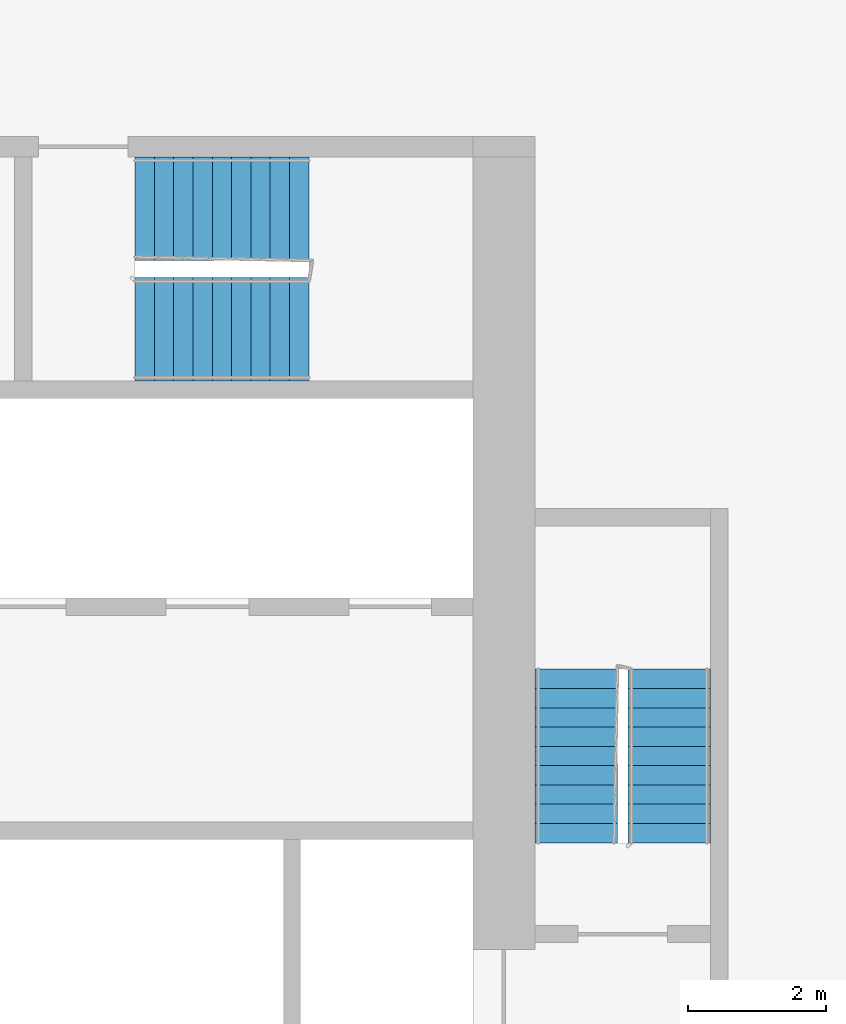
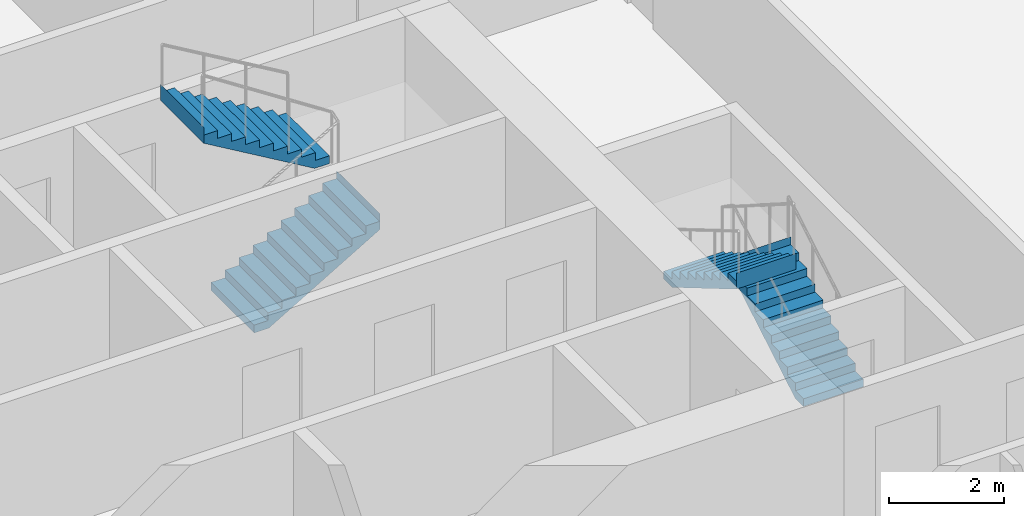
# One storey, part 11 of 12: 4 stair flights, 2 elements without a shape of their own.
"""IFC4 building model written with IfcOpenShell, lengths in metres."""

from ifc_helpers import new_model, si_unit, direction, frame, origin, place, context, subcontext, project, spatial, faceted_brep, material, type_object, element, aggregate, save


model = new_model("IFC4")

# Units and contexts
model_context = context("Model", 3, precision=1e-05, world=origin(), true_north=direction((0.0, 1.0)))
body_context = subcontext(model_context, "Body", "Model", "MODEL_VIEW")
ifc_project = project(units=[si_unit("LENGTHUNIT", "METRE"), si_unit("AREAUNIT", "SQUARE_METRE"), si_unit("VOLUMEUNIT", "CUBIC_METRE"), si_unit("PLANEANGLEUNIT", "RADIAN"), si_unit("MASSUNIT", "GRAM", prefix="KILO")], contexts=[model_context])

# Site, building, storey
site_placement = place(None, origin())
site = spatial("IfcSite", under=ifc_project, at=site_placement, CompositionType="ELEMENT")
building_placement = place(site_placement, origin())
building = spatial("IfcBuilding", under=site, at=building_placement, Name="Kajstack Hotel Tower", CompositionType="ELEMENT")
storey_placement = place(building_placement, frame((0.0, 0.0, 143.800048828125)))
storey = spatial("IfcBuildingStorey", under=building, at=storey_placement, Name="L33", CompositionType="ELEMENT", Elevation=143.800048828125)

# Stair, stair flights
ifc_material = material(Name="Concrete C40/50", Category="concrete")
stair_type_1 = type_object("IfcStairType", Name="Exit stair 1200", PredefinedType="HALF_TURN_STAIR", material=ifc_material)
stair_1_placement = place(storey_placement, origin())
stair_1 = element("IfcStair", 1, at=stair_1_placement, inside=storey, type_object=stair_type_1, Name="L33 stair E1", PredefinedType="HALF_TURN_STAIR")
stair_flight_type_1 = type_object("IfcStairFlightType", Name="Exit stair flight 1200", PredefinedType="STRAIGHT", material=ifc_material)
stair_flight_1_placement = place(storey_placement, frame((33.449951171875, 5.25, 0.0), z_axis=(0.0, 0.0, 1.0), x_axis=(0.0, 1.0, 0.0)))
stair_flight_1 = element("IfcStairFlight", 2, at=stair_flight_1_placement, type_object=stair_flight_type_1, Name="E1 flight 1", NumberOfRisers=10, NumberOfTreads=9, PredefinedType="STRAIGHT", RiserHeight=0.165, TreadLength=0.28, context=body_context, shape_type="Brep", body=[
    faceted_brep([(0.295654296875, -0.60009765625, 0.0), (2.5205078125, -0.60009765625, 1.31103515625), (2.5205078125, -0.60009765625, 1.64990234375), (2.52001953125, -0.60009765625, 1.64990234375), (2.52001953125, -0.60009765625, 1.485107421875), (2.239990234375, -0.60009765625, 1.485107421875), (2.239990234375, -0.60009765625, 1.320068359375), (1.9599609375, -0.60009765625, 1.320068359375), (1.9599609375, -0.60009765625, 1.155029296875), (1.679931640625, -0.60009765625, 1.155029296875), (1.679931640625, -0.60009765625, 0.989990234375), (1.39990234375, -0.60009765625, 0.989990234375), (1.39990234375, -0.60009765625, 0.824951171875), (1.1201171875, -0.60009765625, 0.824951171875), (1.1201171875, -0.60009765625, 0.659912109375), (0.840087890625, -0.60009765625, 0.659912109375), (0.840087890625, -0.60009765625, 0.4951171875), (0.56005859375, -0.60009765625, 0.4951171875), (0.56005859375, -0.60009765625, 0.330078125), (0.280029296875, -0.60009765625, 0.330078125), (0.280029296875, -0.60009765625, 0.1650390625), (-0.00048828125, -0.60009765625, 0.1650390625), (-0.00048828125, -0.60009765625, 0.0), (-0.00048828125, 0.60009765625, 0.0), (-0.00048828125, 0.60009765625, 0.1650390625), (0.280029296875, 0.60009765625, 0.1650390625), (0.280029296875, 0.60009765625, 0.330078125), (0.56005859375, 0.60009765625, 0.330078125), (0.56005859375, 0.60009765625, 0.4951171875), (0.840087890625, 0.60009765625, 0.4951171875), (0.840087890625, 0.60009765625, 0.659912109375), (1.1201171875, 0.60009765625, 0.659912109375), (1.1201171875, 0.60009765625, 0.824951171875), (1.39990234375, 0.60009765625, 0.824951171875), (1.39990234375, 0.60009765625, 0.989990234375), (1.679931640625, 0.60009765625, 0.989990234375), (1.679931640625, 0.60009765625, 1.155029296875), (1.9599609375, 0.60009765625, 1.155029296875), (1.9599609375, 0.60009765625, 1.320068359375), (2.239990234375, 0.60009765625, 1.320068359375), (2.239990234375, 0.60009765625, 1.485107421875), (2.52001953125, 0.60009765625, 1.485107421875), (2.52001953125, 0.60009765625, 1.64990234375), (2.5205078125, 0.60009765625, 1.64990234375), (2.5205078125, 0.60009765625, 1.31103515625), (0.295654296875, 0.60009765625, 0.0), (-0.00048828125, -0.300048828125, 0.1650390625), (-0.00048828125, 0.0, 0.1650390625), (-0.00048828125, 0.300048828125, 0.1650390625), (-0.00048828125, 0.300048828125, 0.0), (-0.00048828125, 0.0, 0.0), (-0.00048828125, -0.300048828125, 0.0), (0.280029296875, -0.300048828125, 0.1650390625), (0.280029296875, 0.0, 0.1650390625), (0.280029296875, 0.300048828125, 0.1650390625), (0.280029296875, -0.300048828125, 0.330078125), (0.280029296875, 0.0, 0.330078125), (0.280029296875, 0.300048828125, 0.330078125), (0.56005859375, -0.300048828125, 0.330078125), (0.56005859375, 0.0, 0.330078125), (0.56005859375, 0.300048828125, 0.330078125), (0.56005859375, -0.300048828125, 0.4951171875), (0.56005859375, 0.0, 0.4951171875), (0.56005859375, 0.300048828125, 0.4951171875), (0.840087890625, -0.300048828125, 0.4951171875), (0.840087890625, 0.0, 0.4951171875), (0.840087890625, 0.300048828125, 0.4951171875), (0.840087890625, -0.300048828125, 0.659912109375), (0.840087890625, 0.0, 0.659912109375), (0.840087890625, 0.300048828125, 0.659912109375), (1.1201171875, -0.300048828125, 0.659912109375), (1.1201171875, 0.0, 0.659912109375), (1.1201171875, 0.300048828125, 0.659912109375), (1.1201171875, -0.300048828125, 0.824951171875), (1.1201171875, 0.0, 0.824951171875), (1.1201171875, 0.300048828125, 0.824951171875), (1.39990234375, -0.300048828125, 0.824951171875), (1.39990234375, 0.0, 0.824951171875), (1.39990234375, 0.300048828125, 0.824951171875), (1.39990234375, -0.300048828125, 0.989990234375), (1.39990234375, 0.0, 0.989990234375), (1.39990234375, 0.300048828125, 0.989990234375), (1.679931640625, -0.300048828125, 0.989990234375), (1.679931640625, 0.0, 0.989990234375), (1.679931640625, 0.300048828125, 0.989990234375), (1.679931640625, -0.300048828125, 1.155029296875), (1.679931640625, 0.0, 1.155029296875), (1.679931640625, 0.300048828125, 1.155029296875), (1.9599609375, -0.300048828125, 1.155029296875), (1.9599609375, 0.0, 1.155029296875), (1.9599609375, 0.300048828125, 1.155029296875), (1.9599609375, -0.300048828125, 1.320068359375), (1.9599609375, 0.0, 1.320068359375), (1.9599609375, 0.300048828125, 1.320068359375), (2.239990234375, -0.300048828125, 1.320068359375), (2.239990234375, 0.0, 1.320068359375), (2.239990234375, 0.300048828125, 1.320068359375), (2.239990234375, -0.300048828125, 1.485107421875), (2.239990234375, 0.0, 1.485107421875), (2.239990234375, 0.300048828125, 1.485107421875), (2.52001953125, -0.300048828125, 1.485107421875), (2.52001953125, 0.0, 1.485107421875), (2.52001953125, 0.300048828125, 1.485107421875), (2.52001953125, -0.300048828125, 1.64990234375), (2.52001953125, 0.0, 1.64990234375), (2.52001953125, 0.300048828125, 1.64990234375), (2.5205078125, -0.300048828125, 1.64990234375), (2.5205078125, 0.0, 1.64990234375), (2.5205078125, 0.300048828125, 1.64990234375), (2.5205078125, -0.300048828125, 1.31103515625), (2.5205078125, 0.0, 1.31103515625), (2.5205078125, 0.300048828125, 1.31103515625), (0.295654296875, -0.300048828125, 0.0), (0.295654296875, 0.0, 0.0), (0.295654296875, 0.300048828125, 0.0)], [[[0, 1, 2, 3, 4, 5, 6, 7, 8, 9, 10, 11, 12, 13, 14, 15, 16, 17, 18, 19, 20, 21, 22]], [[23, 24, 25, 26, 27, 28, 29, 30, 31, 32, 33, 34, 35, 36, 37, 38, 39, 40, 41, 42, 43, 44, 45]], [[21, 46, 47, 48, 24, 23, 49, 50, 51, 22]], [[20, 52, 53, 54, 25, 24, 48, 47, 46, 21]], [[19, 55, 56, 57, 26, 25, 54, 53, 52, 20]], [[18, 58, 59, 60, 27, 26, 57, 56, 55, 19]], [[17, 61, 62, 63, 28, 27, 60, 59, 58, 18]], [[16, 64, 65, 66, 29, 28, 63, 62, 61, 17]], [[15, 67, 68, 69, 30, 29, 66, 65, 64, 16]], [[14, 70, 71, 72, 31, 30, 69, 68, 67, 15]], [[13, 73, 74, 75, 32, 31, 72, 71, 70, 14]], [[12, 76, 77, 78, 33, 32, 75, 74, 73, 13]], [[11, 79, 80, 81, 34, 33, 78, 77, 76, 12]], [[10, 82, 83, 84, 35, 34, 81, 80, 79, 11]], [[9, 85, 86, 87, 36, 35, 84, 83, 82, 10]], [[8, 88, 89, 90, 37, 36, 87, 86, 85, 9]], [[7, 91, 92, 93, 38, 37, 90, 89, 88, 8]], [[6, 94, 95, 96, 39, 38, 93, 92, 91, 7]], [[5, 97, 98, 99, 40, 39, 96, 95, 94, 6]], [[4, 100, 101, 102, 41, 40, 99, 98, 97, 5]], [[3, 103, 104, 105, 42, 41, 102, 101, 100, 4]], [[2, 106, 107, 108, 43, 42, 105, 104, 103, 3]], [[1, 109, 110, 111, 44, 43, 108, 107, 106, 2]], [[0, 112, 113, 114, 45, 44, 111, 110, 109, 1]], [[22, 51, 50, 49, 23, 45, 114, 113, 112, 0]]]),
])
stair_flight_2_placement = place(storey_placement, frame((32.10009765625, 7.77001953125, 1.64990234375), z_axis=(0.0, 0.0, 1.0), x_axis=(0.0, -1.0, 0.0)))
stair_flight_2 = element("IfcStairFlight", 3, at=stair_flight_2_placement, type_object=stair_flight_type_1, Name="E1 flight 2", NumberOfRisers=10, NumberOfTreads=9, PredefinedType="STRAIGHT", RiserHeight=0.165, TreadLength=0.28, context=body_context, shape_type="Brep", body=[
    faceted_brep([(0.295654296875, -0.60009765625, 0.0), (2.5205078125, -0.60009765625, 1.31103515625), (2.5205078125, -0.60009765625, 1.64990234375), (2.52001953125, -0.60009765625, 1.64990234375), (2.52001953125, -0.60009765625, 1.485107421875), (2.239990234375, -0.60009765625, 1.485107421875), (2.239990234375, -0.60009765625, 1.320068359375), (1.9599609375, -0.60009765625, 1.320068359375), (1.9599609375, -0.60009765625, 1.155029296875), (1.679931640625, -0.60009765625, 1.155029296875), (1.679931640625, -0.60009765625, 0.989990234375), (1.39990234375, -0.60009765625, 0.989990234375), (1.39990234375, -0.60009765625, 0.824951171875), (1.1201171875, -0.60009765625, 0.824951171875), (1.1201171875, -0.60009765625, 0.659912109375), (0.840087890625, -0.60009765625, 0.659912109375), (0.840087890625, -0.60009765625, 0.4951171875), (0.56005859375, -0.60009765625, 0.4951171875), (0.56005859375, -0.60009765625, 0.330078125), (0.280029296875, -0.60009765625, 0.330078125), (0.280029296875, -0.60009765625, 0.1650390625), (-0.00048828125, -0.60009765625, 0.1650390625), (-0.00048828125, -0.60009765625, 0.0), (-0.00048828125, 0.60009765625, 0.0), (-0.00048828125, 0.60009765625, 0.1650390625), (0.280029296875, 0.60009765625, 0.1650390625), (0.280029296875, 0.60009765625, 0.330078125), (0.56005859375, 0.60009765625, 0.330078125), (0.56005859375, 0.60009765625, 0.4951171875), (0.840087890625, 0.60009765625, 0.4951171875), (0.840087890625, 0.60009765625, 0.659912109375), (1.1201171875, 0.60009765625, 0.659912109375), (1.1201171875, 0.60009765625, 0.824951171875), (1.39990234375, 0.60009765625, 0.824951171875), (1.39990234375, 0.60009765625, 0.989990234375), (1.679931640625, 0.60009765625, 0.989990234375), (1.679931640625, 0.60009765625, 1.155029296875), (1.9599609375, 0.60009765625, 1.155029296875), (1.9599609375, 0.60009765625, 1.320068359375), (2.239990234375, 0.60009765625, 1.320068359375), (2.239990234375, 0.60009765625, 1.485107421875), (2.52001953125, 0.60009765625, 1.485107421875), (2.52001953125, 0.60009765625, 1.64990234375), (2.5205078125, 0.60009765625, 1.64990234375), (2.5205078125, 0.60009765625, 1.31103515625), (0.295654296875, 0.60009765625, 0.0), (-0.00048828125, -0.300048828125, 0.1650390625), (-0.00048828125, 0.0, 0.1650390625), (-0.00048828125, 0.300048828125, 0.1650390625), (-0.00048828125, 0.300048828125, 0.0), (-0.00048828125, 0.0, 0.0), (-0.00048828125, -0.300048828125, 0.0), (0.280029296875, -0.300048828125, 0.1650390625), (0.280029296875, 0.0, 0.1650390625), (0.280029296875, 0.300048828125, 0.1650390625), (0.280029296875, -0.300048828125, 0.330078125), (0.280029296875, 0.0, 0.330078125), (0.280029296875, 0.300048828125, 0.330078125), (0.56005859375, -0.300048828125, 0.330078125), (0.56005859375, 0.0, 0.330078125), (0.56005859375, 0.300048828125, 0.330078125), (0.56005859375, -0.300048828125, 0.4951171875), (0.56005859375, 0.0, 0.4951171875), (0.56005859375, 0.300048828125, 0.4951171875), (0.840087890625, -0.300048828125, 0.4951171875), (0.840087890625, 0.0, 0.4951171875), (0.840087890625, 0.300048828125, 0.4951171875), (0.840087890625, -0.300048828125, 0.659912109375), (0.840087890625, 0.0, 0.659912109375), (0.840087890625, 0.300048828125, 0.659912109375), (1.1201171875, -0.300048828125, 0.659912109375), (1.1201171875, 0.0, 0.659912109375), (1.1201171875, 0.300048828125, 0.659912109375), (1.1201171875, -0.300048828125, 0.824951171875), (1.1201171875, 0.0, 0.824951171875), (1.1201171875, 0.300048828125, 0.824951171875), (1.39990234375, -0.300048828125, 0.824951171875), (1.39990234375, 0.0, 0.824951171875), (1.39990234375, 0.300048828125, 0.824951171875), (1.39990234375, -0.300048828125, 0.989990234375), (1.39990234375, 0.0, 0.989990234375), (1.39990234375, 0.300048828125, 0.989990234375), (1.679931640625, -0.300048828125, 0.989990234375), (1.679931640625, 0.0, 0.989990234375), (1.679931640625, 0.300048828125, 0.989990234375), (1.679931640625, -0.300048828125, 1.155029296875), (1.679931640625, 0.0, 1.155029296875), (1.679931640625, 0.300048828125, 1.155029296875), (1.9599609375, -0.300048828125, 1.155029296875), (1.9599609375, 0.0, 1.155029296875), (1.9599609375, 0.300048828125, 1.155029296875), (1.9599609375, -0.300048828125, 1.320068359375), (1.9599609375, 0.0, 1.320068359375), (1.9599609375, 0.300048828125, 1.320068359375), (2.239990234375, -0.300048828125, 1.320068359375), (2.239990234375, 0.0, 1.320068359375), (2.239990234375, 0.300048828125, 1.320068359375), (2.239990234375, -0.300048828125, 1.485107421875), (2.239990234375, 0.0, 1.485107421875), (2.239990234375, 0.300048828125, 1.485107421875), (2.52001953125, -0.300048828125, 1.485107421875), (2.52001953125, 0.0, 1.485107421875), (2.52001953125, 0.300048828125, 1.485107421875), (2.52001953125, -0.300048828125, 1.64990234375), (2.52001953125, 0.0, 1.64990234375), (2.52001953125, 0.300048828125, 1.64990234375), (2.5205078125, -0.300048828125, 1.64990234375), (2.5205078125, 0.0, 1.64990234375), (2.5205078125, 0.300048828125, 1.64990234375), (2.5205078125, -0.300048828125, 1.31103515625), (2.5205078125, 0.0, 1.31103515625), (2.5205078125, 0.300048828125, 1.31103515625), (0.295654296875, -0.300048828125, 0.0), (0.295654296875, 0.0, 0.0), (0.295654296875, 0.300048828125, 0.0)], [[[0, 1, 2, 3, 4, 5, 6, 7, 8, 9, 10, 11, 12, 13, 14, 15, 16, 17, 18, 19, 20, 21, 22]], [[23, 24, 25, 26, 27, 28, 29, 30, 31, 32, 33, 34, 35, 36, 37, 38, 39, 40, 41, 42, 43, 44, 45]], [[21, 46, 47, 48, 24, 23, 49, 50, 51, 22]], [[20, 52, 53, 54, 25, 24, 48, 47, 46, 21]], [[19, 55, 56, 57, 26, 25, 54, 53, 52, 20]], [[18, 58, 59, 60, 27, 26, 57, 56, 55, 19]], [[17, 61, 62, 63, 28, 27, 60, 59, 58, 18]], [[16, 64, 65, 66, 29, 28, 63, 62, 61, 17]], [[15, 67, 68, 69, 30, 29, 66, 65, 64, 16]], [[14, 70, 71, 72, 31, 30, 69, 68, 67, 15]], [[13, 73, 74, 75, 32, 31, 72, 71, 70, 14]], [[12, 76, 77, 78, 33, 32, 75, 74, 73, 13]], [[11, 79, 80, 81, 34, 33, 78, 77, 76, 12]], [[10, 82, 83, 84, 35, 34, 81, 80, 79, 11]], [[9, 85, 86, 87, 36, 35, 84, 83, 82, 10]], [[8, 88, 89, 90, 37, 36, 87, 86, 85, 9]], [[7, 91, 92, 93, 38, 37, 90, 89, 88, 8]], [[6, 94, 95, 96, 39, 38, 93, 92, 91, 7]], [[5, 97, 98, 99, 40, 39, 96, 95, 94, 6]], [[4, 100, 101, 102, 41, 40, 99, 98, 97, 5]], [[3, 103, 104, 105, 42, 41, 102, 101, 100, 4]], [[2, 106, 107, 108, 43, 42, 105, 104, 103, 3]], [[1, 109, 110, 111, 44, 43, 108, 107, 106, 2]], [[0, 112, 113, 114, 45, 44, 111, 110, 109, 1]], [[22, 51, 50, 49, 23, 45, 114, 113, 112, 0]]]),
])
aggregate(stair_1, [stair_flight_1, stair_flight_2])

stair_type_2 = type_object("IfcStairType", Name="Exit stair 1500", PredefinedType="HALF_TURN_STAIR", material=ifc_material)
stair_2_placement = place(storey_placement, origin())
stair_2 = element("IfcStair", 4, at=stair_2_placement, inside=storey, type_object=stair_type_2, Name="L33 stair E3", PredefinedType="HALF_TURN_STAIR")
stair_flight_type_2 = type_object("IfcStairFlightType", Name="Exit stair flight 1500", PredefinedType="STRAIGHT", material=ifc_material)
stair_flight_3_placement = place(storey_placement, frame((25.699951171875, 12.699951171875, 0.0), z_axis=(0.0, 0.0, 1.0), x_axis=(1.0, 0.0, 0.0)))
stair_flight_3 = element("IfcStairFlight", 5, at=stair_flight_3_placement, type_object=stair_flight_type_2, Name="E3 flight 1", NumberOfRisers=10, NumberOfTreads=9, PredefinedType="STRAIGHT", RiserHeight=0.165, TreadLength=0.28, context=body_context, shape_type="Brep", body=[
    faceted_brep([(0.295654296875, -0.75, 0.0), (2.5205078125, -0.75, 1.31103515625), (2.5205078125, -0.75, 1.64990234375), (2.52001953125, -0.75, 1.64990234375), (2.52001953125, -0.75, 1.485107421875), (2.239990234375, -0.75, 1.485107421875), (2.239990234375, -0.75, 1.320068359375), (1.9599609375, -0.75, 1.320068359375), (1.9599609375, -0.75, 1.155029296875), (1.679931640625, -0.75, 1.155029296875), (1.679931640625, -0.75, 0.989990234375), (1.39990234375, -0.75, 0.989990234375), (1.39990234375, -0.75, 0.824951171875), (1.1201171875, -0.75, 0.824951171875), (1.1201171875, -0.75, 0.659912109375), (0.840087890625, -0.75, 0.659912109375), (0.840087890625, -0.75, 0.4951171875), (0.56005859375, -0.75, 0.4951171875), (0.56005859375, -0.75, 0.330078125), (0.280029296875, -0.75, 0.330078125), (0.280029296875, -0.75, 0.1650390625), (-0.00048828125, -0.75, 0.1650390625), (-0.00048828125, -0.75, 0.0), (-0.00048828125, 0.75, 0.0), (-0.00048828125, 0.75, 0.1650390625), (0.280029296875, 0.75, 0.1650390625), (0.280029296875, 0.75, 0.330078125), (0.56005859375, 0.75, 0.330078125), (0.56005859375, 0.75, 0.4951171875), (0.840087890625, 0.75, 0.4951171875), (0.840087890625, 0.75, 0.659912109375), (1.1201171875, 0.75, 0.659912109375), (1.1201171875, 0.75, 0.824951171875), (1.39990234375, 0.75, 0.824951171875), (1.39990234375, 0.75, 0.989990234375), (1.679931640625, 0.75, 0.989990234375), (1.679931640625, 0.75, 1.155029296875), (1.9599609375, 0.75, 1.155029296875), (1.9599609375, 0.75, 1.320068359375), (2.239990234375, 0.75, 1.320068359375), (2.239990234375, 0.75, 1.485107421875), (2.52001953125, 0.75, 1.485107421875), (2.52001953125, 0.75, 1.64990234375), (2.5205078125, 0.75, 1.64990234375), (2.5205078125, 0.75, 1.31103515625), (0.295654296875, 0.75, 0.0), (-0.00048828125, -0.375, 0.1650390625), (-0.00048828125, 0.0, 0.1650390625), (-0.00048828125, 0.375, 0.1650390625), (-0.00048828125, 0.375, 0.0), (-0.00048828125, 0.0, 0.0), (-0.00048828125, -0.375, 0.0), (0.280029296875, -0.375, 0.1650390625), (0.280029296875, 0.0, 0.1650390625), (0.280029296875, 0.375, 0.1650390625), (0.280029296875, -0.375, 0.330078125), (0.280029296875, 0.0, 0.330078125), (0.280029296875, 0.375, 0.330078125), (0.56005859375, -0.375, 0.330078125), (0.56005859375, 0.0, 0.330078125), (0.56005859375, 0.375, 0.330078125), (0.56005859375, -0.375, 0.4951171875), (0.56005859375, 0.0, 0.4951171875), (0.56005859375, 0.375, 0.4951171875), (0.840087890625, -0.375, 0.4951171875), (0.840087890625, 0.0, 0.4951171875), (0.840087890625, 0.375, 0.4951171875), (0.840087890625, -0.375, 0.659912109375), (0.840087890625, 0.0, 0.659912109375), (0.840087890625, 0.375, 0.659912109375), (1.1201171875, -0.375, 0.659912109375), (1.1201171875, 0.0, 0.659912109375), (1.1201171875, 0.375, 0.659912109375), (1.1201171875, -0.375, 0.824951171875), (1.1201171875, 0.0, 0.824951171875), (1.1201171875, 0.375, 0.824951171875), (1.39990234375, -0.375, 0.824951171875), (1.39990234375, 0.0, 0.824951171875), (1.39990234375, 0.375, 0.824951171875), (1.39990234375, -0.375, 0.989990234375), (1.39990234375, 0.0, 0.989990234375), (1.39990234375, 0.375, 0.989990234375), (1.679931640625, -0.375, 0.989990234375), (1.679931640625, 0.0, 0.989990234375), (1.679931640625, 0.375, 0.989990234375), (1.679931640625, -0.375, 1.155029296875), (1.679931640625, 0.0, 1.155029296875), (1.679931640625, 0.375, 1.155029296875), (1.9599609375, -0.375, 1.155029296875), (1.9599609375, 0.0, 1.155029296875), (1.9599609375, 0.375, 1.155029296875), (1.9599609375, -0.375, 1.320068359375), (1.9599609375, 0.0, 1.320068359375), (1.9599609375, 0.375, 1.320068359375), (2.239990234375, -0.375, 1.320068359375), (2.239990234375, 0.0, 1.320068359375), (2.239990234375, 0.375, 1.320068359375), (2.239990234375, -0.375, 1.485107421875), (2.239990234375, 0.0, 1.485107421875), (2.239990234375, 0.375, 1.485107421875), (2.52001953125, -0.375, 1.485107421875), (2.52001953125, 0.0, 1.485107421875), (2.52001953125, 0.375, 1.485107421875), (2.52001953125, -0.375, 1.64990234375), (2.52001953125, 0.0, 1.64990234375), (2.52001953125, 0.375, 1.64990234375), (2.5205078125, -0.375, 1.64990234375), (2.5205078125, 0.0, 1.64990234375), (2.5205078125, 0.375, 1.64990234375), (2.5205078125, -0.375, 1.31103515625), (2.5205078125, 0.0, 1.31103515625), (2.5205078125, 0.375, 1.31103515625), (0.295654296875, -0.375, 0.0), (0.295654296875, 0.0, 0.0), (0.295654296875, 0.375, 0.0)], [[[0, 1, 2, 3, 4, 5, 6, 7, 8, 9, 10, 11, 12, 13, 14, 15, 16, 17, 18, 19, 20, 21, 22]], [[23, 24, 25, 26, 27, 28, 29, 30, 31, 32, 33, 34, 35, 36, 37, 38, 39, 40, 41, 42, 43, 44, 45]], [[21, 46, 47, 48, 24, 23, 49, 50, 51, 22]], [[20, 52, 53, 54, 25, 24, 48, 47, 46, 21]], [[19, 55, 56, 57, 26, 25, 54, 53, 52, 20]], [[18, 58, 59, 60, 27, 26, 57, 56, 55, 19]], [[17, 61, 62, 63, 28, 27, 60, 59, 58, 18]], [[16, 64, 65, 66, 29, 28, 63, 62, 61, 17]], [[15, 67, 68, 69, 30, 29, 66, 65, 64, 16]], [[14, 70, 71, 72, 31, 30, 69, 68, 67, 15]], [[13, 73, 74, 75, 32, 31, 72, 71, 70, 14]], [[12, 76, 77, 78, 33, 32, 75, 74, 73, 13]], [[11, 79, 80, 81, 34, 33, 78, 77, 76, 12]], [[10, 82, 83, 84, 35, 34, 81, 80, 79, 11]], [[9, 85, 86, 87, 36, 35, 84, 83, 82, 10]], [[8, 88, 89, 90, 37, 36, 87, 86, 85, 9]], [[7, 91, 92, 93, 38, 37, 90, 89, 88, 8]], [[6, 94, 95, 96, 39, 38, 93, 92, 91, 7]], [[5, 97, 98, 99, 40, 39, 96, 95, 94, 6]], [[4, 100, 101, 102, 41, 40, 99, 98, 97, 5]], [[3, 103, 104, 105, 42, 41, 102, 101, 100, 4]], [[2, 106, 107, 108, 43, 42, 105, 104, 103, 3]], [[1, 109, 110, 111, 44, 43, 108, 107, 106, 2]], [[0, 112, 113, 114, 45, 44, 111, 110, 109, 1]], [[22, 51, 50, 49, 23, 45, 114, 113, 112, 0]]]),
])
stair_flight_4_placement = place(storey_placement, frame((28.219970703125, 14.449951171875, 1.64990234375), z_axis=(0.0, 0.0, 1.0), x_axis=(-1.0, 0.0, 0.0)))
stair_flight_4 = element("IfcStairFlight", 6, at=stair_flight_4_placement, type_object=stair_flight_type_2, Name="E3 flight 2", NumberOfRisers=10, NumberOfTreads=9, PredefinedType="STRAIGHT", RiserHeight=0.165, TreadLength=0.28, context=body_context, shape_type="Brep", body=[
    faceted_brep([(0.295654296875, -0.75, 0.0), (2.5205078125, -0.75, 1.31103515625), (2.5205078125, -0.75, 1.64990234375), (2.52001953125, -0.75, 1.64990234375), (2.52001953125, -0.75, 1.485107421875), (2.239990234375, -0.75, 1.485107421875), (2.239990234375, -0.75, 1.320068359375), (1.9599609375, -0.75, 1.320068359375), (1.9599609375, -0.75, 1.155029296875), (1.679931640625, -0.75, 1.155029296875), (1.679931640625, -0.75, 0.989990234375), (1.39990234375, -0.75, 0.989990234375), (1.39990234375, -0.75, 0.824951171875), (1.1201171875, -0.75, 0.824951171875), (1.1201171875, -0.75, 0.659912109375), (0.840087890625, -0.75, 0.659912109375), (0.840087890625, -0.75, 0.4951171875), (0.56005859375, -0.75, 0.4951171875), (0.56005859375, -0.75, 0.330078125), (0.280029296875, -0.75, 0.330078125), (0.280029296875, -0.75, 0.1650390625), (-0.00048828125, -0.75, 0.1650390625), (-0.00048828125, -0.75, 0.0), (-0.00048828125, 0.75, 0.0), (-0.00048828125, 0.75, 0.1650390625), (0.280029296875, 0.75, 0.1650390625), (0.280029296875, 0.75, 0.330078125), (0.56005859375, 0.75, 0.330078125), (0.56005859375, 0.75, 0.4951171875), (0.840087890625, 0.75, 0.4951171875), (0.840087890625, 0.75, 0.659912109375), (1.1201171875, 0.75, 0.659912109375), (1.1201171875, 0.75, 0.824951171875), (1.39990234375, 0.75, 0.824951171875), (1.39990234375, 0.75, 0.989990234375), (1.679931640625, 0.75, 0.989990234375), (1.679931640625, 0.75, 1.155029296875), (1.9599609375, 0.75, 1.155029296875), (1.9599609375, 0.75, 1.320068359375), (2.239990234375, 0.75, 1.320068359375), (2.239990234375, 0.75, 1.485107421875), (2.52001953125, 0.75, 1.485107421875), (2.52001953125, 0.75, 1.64990234375), (2.5205078125, 0.75, 1.64990234375), (2.5205078125, 0.75, 1.31103515625), (0.295654296875, 0.75, 0.0), (-0.00048828125, -0.375, 0.1650390625), (-0.00048828125, 0.0, 0.1650390625), (-0.00048828125, 0.375, 0.1650390625), (-0.00048828125, 0.375, 0.0), (-0.00048828125, 0.0, 0.0), (-0.00048828125, -0.375, 0.0), (0.280029296875, -0.375, 0.1650390625), (0.280029296875, 0.0, 0.1650390625), (0.280029296875, 0.375, 0.1650390625), (0.280029296875, -0.375, 0.330078125), (0.280029296875, 0.0, 0.330078125), (0.280029296875, 0.375, 0.330078125), (0.56005859375, -0.375, 0.330078125), (0.56005859375, 0.0, 0.330078125), (0.56005859375, 0.375, 0.330078125), (0.56005859375, -0.375, 0.4951171875), (0.56005859375, 0.0, 0.4951171875), (0.56005859375, 0.375, 0.4951171875), (0.840087890625, -0.375, 0.4951171875), (0.840087890625, 0.0, 0.4951171875), (0.840087890625, 0.375, 0.4951171875), (0.840087890625, -0.375, 0.659912109375), (0.840087890625, 0.0, 0.659912109375), (0.840087890625, 0.375, 0.659912109375), (1.1201171875, -0.375, 0.659912109375), (1.1201171875, 0.0, 0.659912109375), (1.1201171875, 0.375, 0.659912109375), (1.1201171875, -0.375, 0.824951171875), (1.1201171875, 0.0, 0.824951171875), (1.1201171875, 0.375, 0.824951171875), (1.39990234375, -0.375, 0.824951171875), (1.39990234375, 0.0, 0.824951171875), (1.39990234375, 0.375, 0.824951171875), (1.39990234375, -0.375, 0.989990234375), (1.39990234375, 0.0, 0.989990234375), (1.39990234375, 0.375, 0.989990234375), (1.679931640625, -0.375, 0.989990234375), (1.679931640625, 0.0, 0.989990234375), (1.679931640625, 0.375, 0.989990234375), (1.679931640625, -0.375, 1.155029296875), (1.679931640625, 0.0, 1.155029296875), (1.679931640625, 0.375, 1.155029296875), (1.9599609375, -0.375, 1.155029296875), (1.9599609375, 0.0, 1.155029296875), (1.9599609375, 0.375, 1.155029296875), (1.9599609375, -0.375, 1.320068359375), (1.9599609375, 0.0, 1.320068359375), (1.9599609375, 0.375, 1.320068359375), (2.239990234375, -0.375, 1.320068359375), (2.239990234375, 0.0, 1.320068359375), (2.239990234375, 0.375, 1.320068359375), (2.239990234375, -0.375, 1.485107421875), (2.239990234375, 0.0, 1.485107421875), (2.239990234375, 0.375, 1.485107421875), (2.52001953125, -0.375, 1.485107421875), (2.52001953125, 0.0, 1.485107421875), (2.52001953125, 0.375, 1.485107421875), (2.52001953125, -0.375, 1.64990234375), (2.52001953125, 0.0, 1.64990234375), (2.52001953125, 0.375, 1.64990234375), (2.5205078125, -0.375, 1.64990234375), (2.5205078125, 0.0, 1.64990234375), (2.5205078125, 0.375, 1.64990234375), (2.5205078125, -0.375, 1.31103515625), (2.5205078125, 0.0, 1.31103515625), (2.5205078125, 0.375, 1.31103515625), (0.295654296875, -0.375, 0.0), (0.295654296875, 0.0, 0.0), (0.295654296875, 0.375, 0.0)], [[[0, 1, 2, 3, 4, 5, 6, 7, 8, 9, 10, 11, 12, 13, 14, 15, 16, 17, 18, 19, 20, 21, 22]], [[23, 24, 25, 26, 27, 28, 29, 30, 31, 32, 33, 34, 35, 36, 37, 38, 39, 40, 41, 42, 43, 44, 45]], [[21, 46, 47, 48, 24, 23, 49, 50, 51, 22]], [[20, 52, 53, 54, 25, 24, 48, 47, 46, 21]], [[19, 55, 56, 57, 26, 25, 54, 53, 52, 20]], [[18, 58, 59, 60, 27, 26, 57, 56, 55, 19]], [[17, 61, 62, 63, 28, 27, 60, 59, 58, 18]], [[16, 64, 65, 66, 29, 28, 63, 62, 61, 17]], [[15, 67, 68, 69, 30, 29, 66, 65, 64, 16]], [[14, 70, 71, 72, 31, 30, 69, 68, 67, 15]], [[13, 73, 74, 75, 32, 31, 72, 71, 70, 14]], [[12, 76, 77, 78, 33, 32, 75, 74, 73, 13]], [[11, 79, 80, 81, 34, 33, 78, 77, 76, 12]], [[10, 82, 83, 84, 35, 34, 81, 80, 79, 11]], [[9, 85, 86, 87, 36, 35, 84, 83, 82, 10]], [[8, 88, 89, 90, 37, 36, 87, 86, 85, 9]], [[7, 91, 92, 93, 38, 37, 90, 89, 88, 8]], [[6, 94, 95, 96, 39, 38, 93, 92, 91, 7]], [[5, 97, 98, 99, 40, 39, 96, 95, 94, 6]], [[4, 100, 101, 102, 41, 40, 99, 98, 97, 5]], [[3, 103, 104, 105, 42, 41, 102, 101, 100, 4]], [[2, 106, 107, 108, 43, 42, 105, 104, 103, 3]], [[1, 109, 110, 111, 44, 43, 108, 107, 106, 2]], [[0, 112, 113, 114, 45, 44, 111, 110, 109, 1]], [[22, 51, 50, 49, 23, 45, 114, 113, 112, 0]]]),
])
aggregate(stair_2, [stair_flight_3, stair_flight_4])

save(model, "model.ifc")
